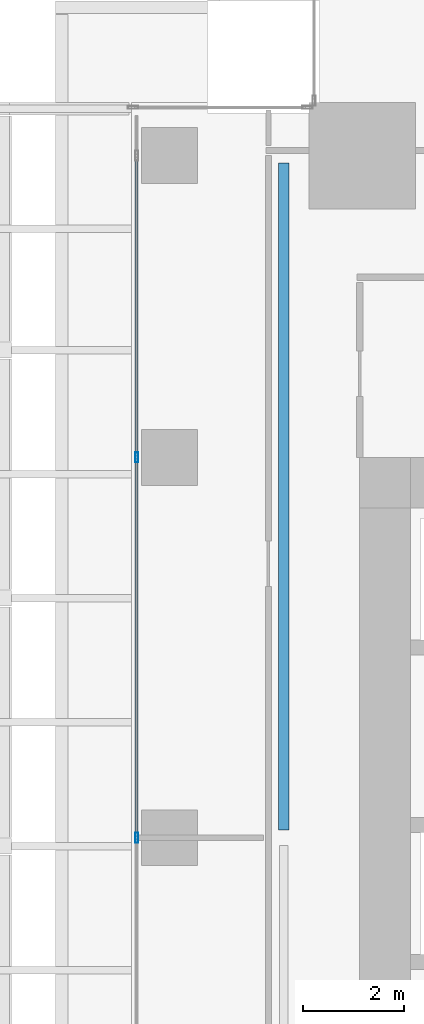
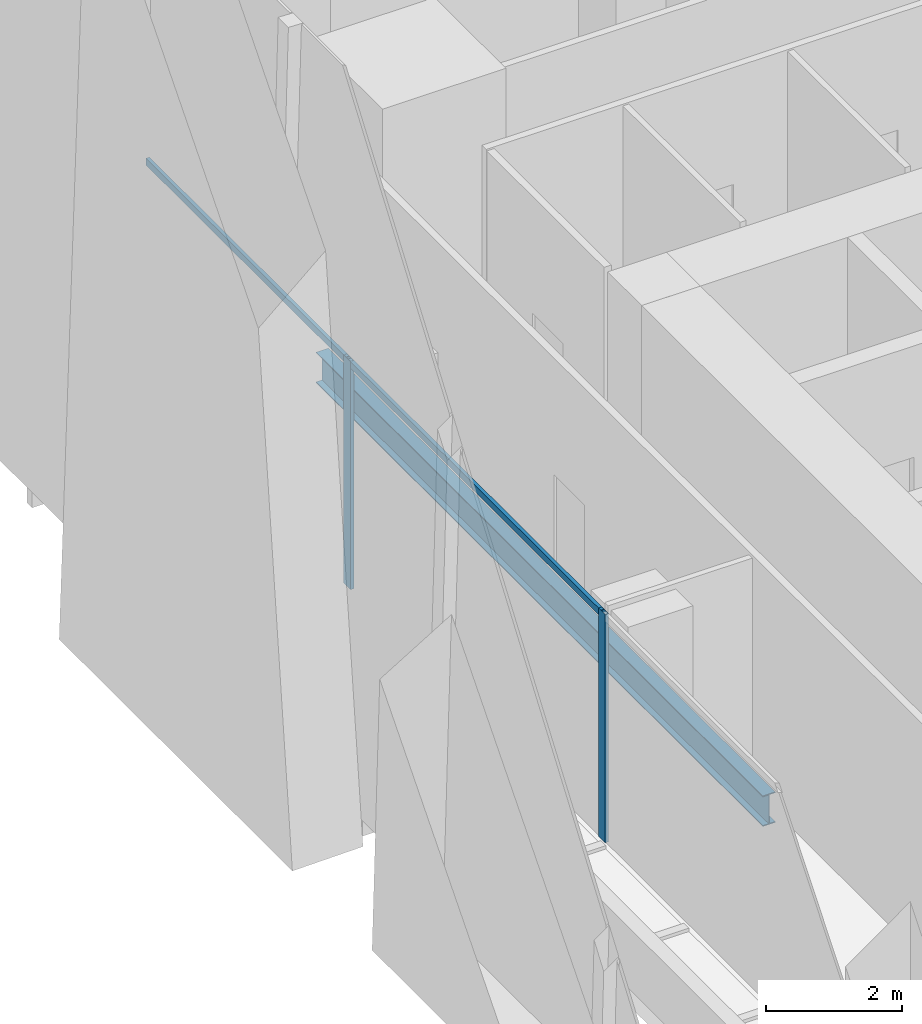
# One storey, part 12 of 37: 4 members, 1 beam, 1 element without a shape of its own.
"""IFC4 building model written with IfcOpenShell, lengths in metres."""

from ifc_helpers import new_model, si_unit, direction, frame, origin, origin_2d, place, context, subcontext, project, spatial, hollow_rectangle, i_section, extrude, source, transform, mapped, material, material_profile, profile_set, type_object, element, aggregate, save


model = new_model("IFC4")

# Units and contexts
model_context = context("Model", 3, precision=1e-05, world=origin(), true_north=direction((0.0, 1.0)))
body_context = subcontext(model_context, "Body", "Model", "MODEL_VIEW")
ifc_project = project(units=[si_unit("LENGTHUNIT", "METRE"), si_unit("AREAUNIT", "SQUARE_METRE"), si_unit("VOLUMEUNIT", "CUBIC_METRE"), si_unit("PLANEANGLEUNIT", "RADIAN"), si_unit("MASSUNIT", "GRAM", prefix="KILO")], contexts=[model_context])

# Site, building, storey
site_placement = place(None, origin())
site = spatial("IfcSite", under=ifc_project, at=site_placement, CompositionType="ELEMENT")
building_placement = place(site_placement, origin())
building = spatial("IfcBuilding", under=site, at=building_placement, Name="Khomas Fold Tower", CompositionType="ELEMENT")
storey_placement = place(building_placement, frame((0.0, 0.0, 101.5)))
storey = spatial("IfcBuildingStorey", under=building, at=storey_placement, Name="L21", CompositionType="ELEMENT", Elevation=101.5)

# Beam
ifc_material_1 = material(Name="Steel S355", Category="steel")
ifc_material_profile_1 = material_profile(ifc_material_1, i_section(OverallWidth=0.2099609375, OverallDepth=0.550048828125, WebThickness=0.010986328125, FlangeThickness=0.01708984375, at=origin_2d()), Name="IPE 550")
ifc_profile_set_1 = profile_set([ifc_material_profile_1], Name="Steel S355")
beam_type = type_object("IfcBeamType", Name="IPE 550 beam JB6", PredefinedType="BEAM", material=ifc_profile_set_1)
shared_shape_1 = source(origin(), body_context, "Body", "SweptSolid", [
    extrude(i_section(OverallWidth=0.2099609375, OverallDepth=0.550048828125, WebThickness=0.010986328125, FlangeThickness=0.01708984375, at=origin_2d()), origin(), (0.0, 0.0, 1.0), 13.1484375),
])
beam_placement = place(storey_placement, frame((4.5, 34.651611328125, -0.574951171875), z_axis=(0.0, 1.0, 0.0), x_axis=(-1.0, 0.0, 0.0)))
element("IfcBeam", 1, at=beam_placement, inside=storey, type_object=beam_type, Name="JB6", PredefinedType="BEAM", context=body_context, shape_type="MappedRepresentation", body=[
    mapped(shared_shape_1, transform((0.0, 0.0, 0.0))),
])

# Curtain wall, members
ifc_material_2 = material(Name="Aluminium framed double glazing", Category="aluminium")
curtain_wall_type = type_object("IfcCurtainWallType", Name="SK-Unitised clear-glass wall, growing floors CW1", PredefinedType="NOTDEFINED", material=ifc_material_2)
curtain_wall_placement = place(storey_placement, origin())
curtain_wall = element("IfcCurtainWall", 2, at=curtain_wall_placement, inside=storey, type_object=curtain_wall_type, Name="CW1 run L21 09-0", PredefinedType="NOTDEFINED")
ifc_material_3 = material(Name="Aluminium", Category="aluminium")
ifc_material_profile_2 = material_profile(ifc_material_3, hollow_rectangle(XDim=0.06005859375, YDim=0.1201171875, WallThickness=0.00390625, at=origin_2d()), Name="SK-Unitised clear-glass wall, growing floors transom CW1-T")
ifc_profile_set_2 = profile_set([ifc_material_profile_2], Name="Aluminium")
member_type_1 = type_object("IfcMemberType", Name="SK-Unitised clear-glass wall, growing floors transom CW1-T", PredefinedType="USERDEFINED", material=ifc_profile_set_2)
shared_shape_2 = source(origin(), body_context, "Body", "SweptSolid", [
    extrude(hollow_rectangle(XDim=0.06005859375, YDim=0.1201171875, WallThickness=0.00390625, at=origin_2d()), origin(), (0.0, 0.0, 1.0), 7.43994140625),
])
member_1_placement = place(storey_placement, frame((1.60009765625, 41.969970703125, 4.0400390625), z_axis=(0.0, -1.0, 0.0), x_axis=(1.0, 0.0, 0.0)))
member_1 = element("IfcMember", 3, at=member_1_placement, type_object=member_type_1, Name="CW1 transom 3", ObjectType="TRANSOM", PredefinedType="USERDEFINED", context=body_context, shape_type="MappedRepresentation", body=[
    mapped(shared_shape_2, transform((0.0, 0.0, 0.0))),
])
ifc_material_4 = material(Name="Aluminium", Category="aluminium")
ifc_material_profile_3 = material_profile(ifc_material_4, hollow_rectangle(XDim=0.06005859375, YDim=0.199951171875, WallThickness=0.00390625, at=origin_2d()), Name="SK-Unitised clear-glass wall, growing floors mullion CW1-M")
ifc_profile_set_3 = profile_set([ifc_material_profile_3], Name="Aluminium")
member_type_2 = type_object("IfcMemberType", Name="SK-Unitised clear-glass wall, growing floors mullion CW1-M", PredefinedType="MULLION", material=ifc_profile_set_3)
shared_shape_3 = source(origin(), body_context, "Body", "SweptSolid", [
    extrude(hollow_rectangle(XDim=0.06005859375, YDim=0.199951171875, WallThickness=0.00390625, at=origin_2d()), origin(), (0.0, 0.0, 1.0), 4.10009765625),
])
member_2_placement = place(storey_placement, frame((1.60009765625, 42.0, 0.0), z_axis=(0.0, 0.0, 1.0), x_axis=(1.0, 0.0, 0.0)))
member_2 = element("IfcMember", 4, at=member_2_placement, type_object=member_type_2, Name="CW1 mullion 3", PredefinedType="MULLION", context=body_context, shape_type="MappedRepresentation", body=[
    mapped(shared_shape_3, transform((0.0, 0.0, 0.0))),
])
member_3_placement = place(storey_placement, frame((1.60009765625, 34.5, 0.0), z_axis=(0.0, 0.0, 1.0), x_axis=(1.0, 0.0, 0.0)))
member_3 = element("IfcMember", 5, at=member_3_placement, type_object=member_type_2, Name="CW1 mullion 4", PredefinedType="MULLION", context=body_context, shape_type="MappedRepresentation", body=[
    mapped(shared_shape_3, transform((0.0, 0.0, 0.0))),
])
shared_shape_4 = source(origin(), body_context, "Body", "SweptSolid", [
    extrude(hollow_rectangle(XDim=0.06005859375, YDim=0.1201171875, WallThickness=0.00390625, at=origin_2d()), origin(), (0.0, 0.0, 1.0), 5.889892578125),
])
member_4_placement = place(storey_placement, frame((1.60009765625, 47.919921875, 4.0400390625), z_axis=(0.0, -1.0, 0.0), x_axis=(1.0, 0.0, 0.0)))
member_4 = element("IfcMember", 6, at=member_4_placement, type_object=member_type_1, Name="CW1 transom 2", ObjectType="TRANSOM", PredefinedType="USERDEFINED", context=body_context, shape_type="MappedRepresentation", body=[
    mapped(shared_shape_4, transform((0.0, 0.0, 0.0))),
])
aggregate(curtain_wall, [member_2, member_3, member_4, member_1])

save(model, "model.ifc")
